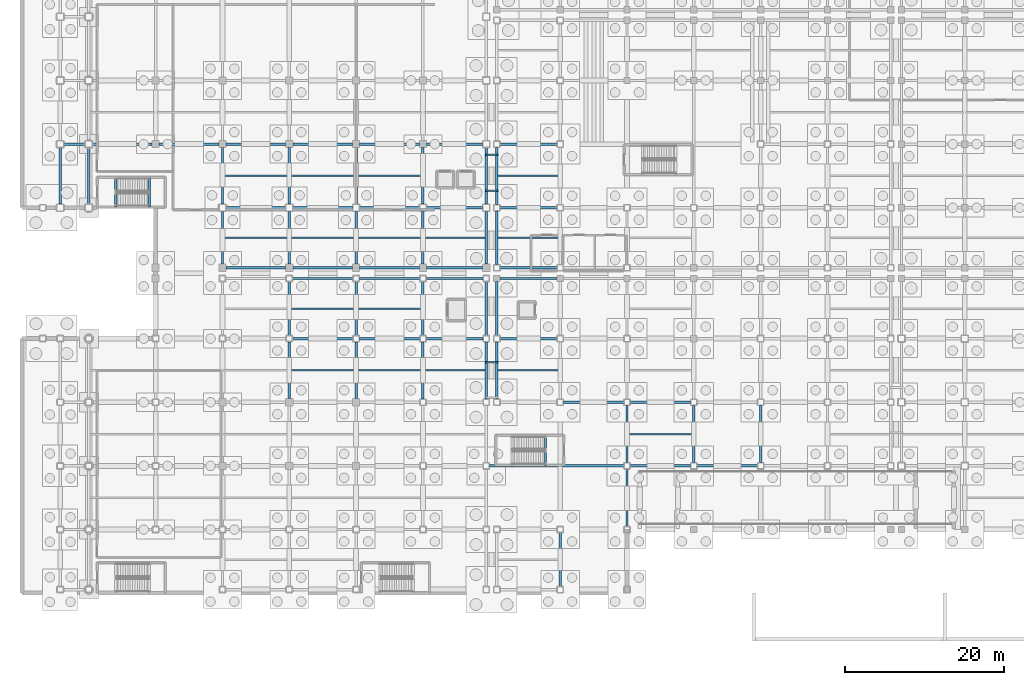
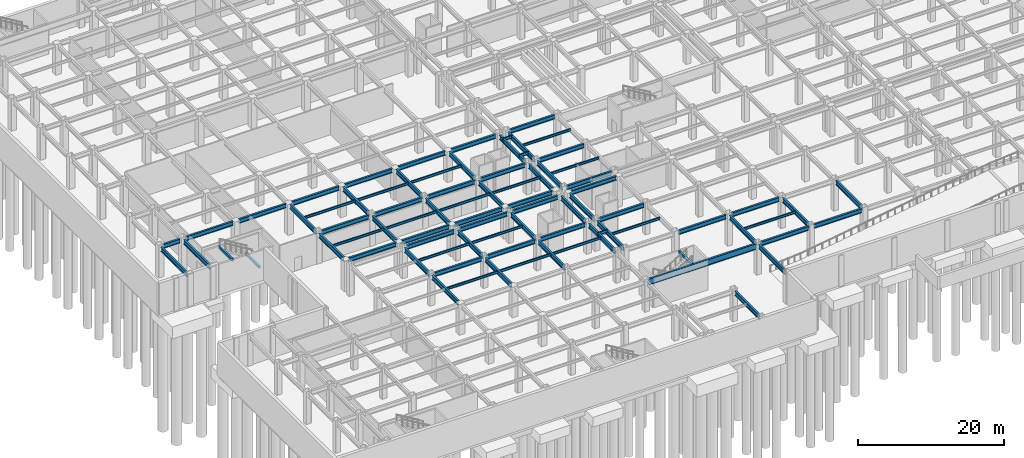
# One storey, part 22 of 55: 82 beams.
"""IFC4 building model written with IfcOpenShell, lengths in metres."""

from ifc_helpers import new_model, si_unit, direction, frame, origin, origin_2d, place, context, subcontext, project, spatial, rectangle, i_section, extrude, material, material_profile, profile_set, type_object, element, save


model = new_model("IFC4")

# Units and contexts
model_context = context("Model", 3, precision=1e-05, world=origin(), true_north=direction((0.0, 1.0)))
body_context = subcontext(model_context, "Body", "Model", "MODEL_VIEW")
ifc_project = project(units=[si_unit("LENGTHUNIT", "METRE"), si_unit("AREAUNIT", "SQUARE_METRE"), si_unit("VOLUMEUNIT", "CUBIC_METRE"), si_unit("PLANEANGLEUNIT", "RADIAN"), si_unit("MASSUNIT", "GRAM", prefix="KILO")], contexts=[model_context])

# Site, building, storey
site_placement = place(None, origin())
site = spatial("IfcSite", under=ifc_project, at=site_placement, CompositionType="ELEMENT")
building_placement = place(site_placement, origin())
building = spatial("IfcBuilding", under=site, at=building_placement, Name="Kazehara Bluff Congress Hotel", CompositionType="ELEMENT")
storey_placement = place(building_placement, frame((0.0, 0.0, -5.39990234375)))
storey = spatial("IfcBuildingStorey", under=building, at=storey_placement, Name="B1", CompositionType="ELEMENT", Elevation=-5.39990234375)

# Beams
ifc_material_1 = material(Name="Steel SN490B", Category="steel")
ifc_material_profile_1 = material_profile(ifc_material_1, i_section(OverallWidth=0.199951171875, OverallDepth=0.5, WebThickness=0.010009765625, FlangeThickness=0.01611328125, FilletRadius=0.012939453125, at=origin_2d()))
ifc_profile_set_1 = profile_set([ifc_material_profile_1], Name="Steel SN490B")
beam_type_1 = type_object("IfcBeamType", Name="TP-G-01", PredefinedType="BEAM", material=ifc_profile_set_1)
for number, where, z_axis, x_axis, name in (
    (1, (58.260009765625, 50.60009765625, 4.869873046875), (1.0, 0.0, 0.0), (0.0, 1.0, 0.0), "Bridge link beam BRG-14 L00-1"),
    (2, (58.260009765625, 55.10009765625, 4.869873046875), (1.0, 0.0, 0.0), (0.0, 1.0, 0.0), "Bridge link beam BRG-14 L00-2"),
    (3, (58.260009765625, 29.050048828125, 4.869873046875), (1.0, 0.0, 0.0), (0.0, 1.0, 0.0), "Bridge link beam BRG-24 L00-2"),
):
    element("IfcBeam", number, at=place(storey_placement, frame(where, z_axis=z_axis, x_axis=x_axis)), inside=storey, type_object=beam_type_1, Name=name, PredefinedType="BEAM", context=body_context, shape_type="SweptSolid", body=[
        extrude(i_section(OverallWidth=0.199951171875, OverallDepth=0.5, WebThickness=0.010009765625, FlangeThickness=0.01611328125, FilletRadius=0.012939453125, at=origin_2d()), origin(), (0.0, 0.0, 1.0), 1.6298828125),
    ])
ifc_material_2 = material(Name="Steel SN490B", Category="steel")
ifc_material_profile_2 = material_profile(ifc_material_2, i_section(OverallWidth=0.300048828125, OverallDepth=0.699951171875, WebThickness=0.012939453125, FlangeThickness=0.02392578125, FilletRadius=0.01806640625, at=origin_2d()))
ifc_profile_set_2 = profile_set([ifc_material_profile_2], Name="Steel SN490B")
beam_type_2 = type_object("IfcBeamType", Name="TP-G-04", PredefinedType="BEAM", material=ifc_profile_set_2)
beam_1_placement = place(storey_placement, frame((76.449951171875, 16.0, 4.77001953125), z_axis=(1.0, 0.0, 0.0), x_axis=(0.0, 1.0, 0.0)))
element("IfcBeam", 4, at=beam_1_placement, inside=storey, type_object=beam_type_2, Name="B1 girder G-04 298", PredefinedType="BEAM", context=body_context, shape_type="SweptSolid", body=[
    extrude(i_section(OverallWidth=0.300048828125, OverallDepth=0.699951171875, WebThickness=0.012939453125, FlangeThickness=0.02392578125, FilletRadius=0.01806640625, at=origin_2d()), origin(), (0.0, 0.0, 1.0), 7.60009765625),
])
for number, where, z_axis, x_axis, name in (
    (5, (84.85009765625, 16.0, 4.77001953125), (1.0, 0.0, 0.0), (0.0, 1.0, 0.0), "B1 girder G-04 299"),
    (6, (68.050048828125, 24.0, 4.77001953125), (1.0, 0.0, 0.0), (0.0, 1.0, 0.0), "B1 girder G-04 317"),
):
    element("IfcBeam", number, at=place(storey_placement, frame(where, z_axis=z_axis, x_axis=x_axis)), inside=storey, type_object=beam_type_2, Name=name, PredefinedType="BEAM", context=body_context, shape_type="SweptSolid", body=[
        extrude(i_section(OverallWidth=0.300048828125, OverallDepth=0.699951171875, WebThickness=0.012939453125, FlangeThickness=0.02392578125, FilletRadius=0.01806640625, at=origin_2d()), origin(), (0.0, 0.0, 1.0), 7.599853515625),
    ])
for number, where, z_axis, x_axis, name in (
    (7, (76.449951171875, 24.0, 4.77001953125), (1.0, 0.0, 0.0), (0.0, 1.0, 0.0), "B1 girder G-04 318"),
    (8, (34.0, 32.0, 4.77001953125), (1.0, 0.0, 0.0), (0.0, 1.0, 0.0), "B1 girder G-04 330"),
    (9, (42.39990234375, 32.0, 4.77001953125), (1.0, 0.0, 0.0), (0.0, 1.0, 0.0), "B1 girder G-04 331"),
):
    element("IfcBeam", number, at=place(storey_placement, frame(where, z_axis=z_axis, x_axis=x_axis)), inside=storey, type_object=beam_type_2, Name=name, PredefinedType="BEAM", context=body_context, shape_type="SweptSolid", body=[
        extrude(i_section(OverallWidth=0.300048828125, OverallDepth=0.699951171875, WebThickness=0.012939453125, FlangeThickness=0.02392578125, FilletRadius=0.01806640625, at=origin_2d()), origin(), (0.0, 0.0, 1.0), 7.60009765625),
    ])
for number, where, z_axis, x_axis, name in (
    (10, (50.800048828125, 32.0, 4.77001953125), (1.0, 0.0, 0.0), (0.0, 1.0, 0.0), "B1 girder G-04 332"),
    (11, (60.10009765625, 32.0, 4.77001953125), (1.0, 0.0, 0.0), (0.0, 1.0, 0.0), "B1 girder G-04 333"),
):
    element("IfcBeam", number, at=place(storey_placement, frame(where, z_axis=z_axis, x_axis=x_axis)), inside=storey, type_object=beam_type_2, Name=name, PredefinedType="BEAM", context=body_context, shape_type="SweptSolid", body=[
        extrude(i_section(OverallWidth=0.300048828125, OverallDepth=0.699951171875, WebThickness=0.012939453125, FlangeThickness=0.02392578125, FilletRadius=0.01806640625, at=origin_2d()), origin(), (0.0, 0.0, 1.0), 7.14990234375),
    ])
for number, where, z_axis, x_axis, name in (
    (12, (34.0, 39.550048828125, 4.77001953125), (1.0, 0.0, 0.0), (0.0, 1.0, 0.0), "B1 girder G-04 347"),
    (13, (42.39990234375, 39.550048828125, 4.77001953125), (1.0, 0.0, 0.0), (0.0, 1.0, 0.0), "B1 girder G-04 348"),
):
    element("IfcBeam", number, at=place(storey_placement, frame(where, z_axis=z_axis, x_axis=x_axis)), inside=storey, type_object=beam_type_2, Name=name, PredefinedType="BEAM", context=body_context, shape_type="SweptSolid", body=[
        extrude(i_section(OverallWidth=0.300048828125, OverallDepth=0.699951171875, WebThickness=0.012939453125, FlangeThickness=0.02392578125, FilletRadius=0.01806640625, at=origin_2d()), origin(), (0.0, 0.0, 1.0), 7.60009765625),
    ])
for number, where, z_axis, x_axis, name in (
    (14, (50.800048828125, 39.550048828125, 4.77001953125), (1.0, 0.0, 0.0), (0.0, 1.0, 0.0), "B1 girder G-04 349"),
    (15, (60.10009765625, 39.550048828125, 4.77001953125), (1.0, 0.0, 0.0), (0.0, 1.0, 0.0), "B1 girder G-04 350"),
):
    element("IfcBeam", number, at=place(storey_placement, frame(where, z_axis=z_axis, x_axis=x_axis)), inside=storey, type_object=beam_type_2, Name=name, PredefinedType="BEAM", context=body_context, shape_type="SweptSolid", body=[
        extrude(i_section(OverallWidth=0.300048828125, OverallDepth=0.699951171875, WebThickness=0.012939453125, FlangeThickness=0.02392578125, FilletRadius=0.01806640625, at=origin_2d()), origin(), (0.0, 0.0, 1.0), 7.14990234375),
    ])
for number, where, z_axis, x_axis, name in (
    (16, (25.64990234375, 40.89990234375, 4.77001953125), (1.0, 0.0, 0.0), (0.0, 1.0, 0.0), "B1 girder G-04 363"),
    (17, (34.050048828125, 40.89990234375, 4.77001953125), (1.0, 0.0, 0.0), (0.0, 1.0, 0.0), "B1 girder G-04 364"),
    (18, (42.449951171875, 40.89990234375, 4.77001953125), (1.0, 0.0, 0.0), (0.0, 1.0, 0.0), "B1 girder G-04 365"),
):
    element("IfcBeam", number, at=place(storey_placement, frame(where, z_axis=z_axis, x_axis=x_axis)), inside=storey, type_object=beam_type_2, Name=name, PredefinedType="BEAM", context=body_context, shape_type="SweptSolid", body=[
        extrude(i_section(OverallWidth=0.300048828125, OverallDepth=0.699951171875, WebThickness=0.012939453125, FlangeThickness=0.02392578125, FilletRadius=0.01806640625, at=origin_2d()), origin(), (0.0, 0.0, 1.0), 7.5),
    ])
beam_2_placement = place(storey_placement, frame((50.85009765625, 40.89990234375, 4.77001953125), z_axis=(1.0, 0.0, 0.0), x_axis=(0.0, 1.0, 0.0)))
element("IfcBeam", 19, at=beam_2_placement, inside=storey, type_object=beam_type_2, Name="B1 girder G-04 366", PredefinedType="BEAM", context=body_context, shape_type="SweptSolid", body=[
    extrude(i_section(OverallWidth=0.300048828125, OverallDepth=0.699951171875, WebThickness=0.012939453125, FlangeThickness=0.02392578125, FilletRadius=0.01806640625, at=origin_2d()), origin(), (0.0, 0.0, 1.0), 7.0498046875),
])
beam_3_placement = place(storey_placement, frame((60.10009765625, 40.89990234375, 4.77001953125), z_axis=(1.0, 0.0, 0.0), x_axis=(0.0, 1.0, 0.0)))
element("IfcBeam", 20, at=beam_3_placement, inside=storey, type_object=beam_type_2, Name="B1 girder G-04 367", PredefinedType="BEAM", context=body_context, shape_type="SweptSolid", body=[
    extrude(i_section(OverallWidth=0.300048828125, OverallDepth=0.699951171875, WebThickness=0.012939453125, FlangeThickness=0.02392578125, FilletRadius=0.01806640625, at=origin_2d()), origin(), (0.0, 0.0, 1.0), 7.14990234375),
])
for number, where, z_axis, x_axis, name in (
    (21, (25.64990234375, 48.449951171875, 4.77001953125), (1.0, 0.0, 0.0), (0.0, 1.0, 0.0), "B1 girder G-04 380"),
    (22, (34.050048828125, 48.449951171875, 4.77001953125), (1.0, 0.0, 0.0), (0.0, 1.0, 0.0), "B1 girder G-04 381"),
    (23, (42.449951171875, 48.449951171875, 4.77001953125), (1.0, 0.0, 0.0), (0.0, 1.0, 0.0), "B1 girder G-04 382"),
):
    element("IfcBeam", number, at=place(storey_placement, frame(where, z_axis=z_axis, x_axis=x_axis)), inside=storey, type_object=beam_type_2, Name=name, PredefinedType="BEAM", context=body_context, shape_type="SweptSolid", body=[
        extrude(i_section(OverallWidth=0.300048828125, OverallDepth=0.699951171875, WebThickness=0.012939453125, FlangeThickness=0.02392578125, FilletRadius=0.01806640625, at=origin_2d()), origin(), (0.0, 0.0, 1.0), 7.5),
    ])
beam_4_placement = place(storey_placement, frame((50.85009765625, 48.449951171875, 4.77001953125), z_axis=(1.0, 0.0, 0.0), x_axis=(0.0, 1.0, 0.0)))
element("IfcBeam", 24, at=beam_4_placement, inside=storey, type_object=beam_type_2, Name="B1 girder G-04 383", PredefinedType="BEAM", context=body_context, shape_type="SweptSolid", body=[
    extrude(i_section(OverallWidth=0.300048828125, OverallDepth=0.699951171875, WebThickness=0.012939453125, FlangeThickness=0.02392578125, FilletRadius=0.01806640625, at=origin_2d()), origin(), (0.0, 0.0, 1.0), 7.0498046875),
])
beam_5_placement = place(storey_placement, frame((60.10009765625, 48.449951171875, 4.77001953125), z_axis=(1.0, 0.0, 0.0), x_axis=(0.0, 1.0, 0.0)))
element("IfcBeam", 25, at=beam_5_placement, inside=storey, type_object=beam_type_2, Name="B1 girder G-04 384", PredefinedType="BEAM", context=body_context, shape_type="SweptSolid", body=[
    extrude(i_section(OverallWidth=0.300048828125, OverallDepth=0.699951171875, WebThickness=0.012939453125, FlangeThickness=0.02392578125, FilletRadius=0.01806640625, at=origin_2d()), origin(), (0.0, 0.0, 1.0), 7.14990234375),
])
beam_6_placement = place(storey_placement, frame((5.25, 56.449951171875, 4.77001953125), z_axis=(1.0, 0.0, 0.0), x_axis=(0.0, 1.0, 0.0)))
element("IfcBeam", 26, at=beam_6_placement, inside=storey, type_object=beam_type_2, Name="B1 girder G-04 395", PredefinedType="BEAM", context=body_context, shape_type="SweptSolid", body=[
    extrude(i_section(OverallWidth=0.300048828125, OverallDepth=0.699951171875, WebThickness=0.012939453125, FlangeThickness=0.02392578125, FilletRadius=0.01806640625, at=origin_2d()), origin(), (0.0, 0.0, 1.0), 2.699951171875),
])
for number, where, z_axis, x_axis, name in (
    (27, (8.85009765625, 56.449951171875, 4.77001953125), (1.0, 0.0, 0.0), (0.0, 1.0, 0.0), "B1 girder G-04 396"),
    (28, (17.25, 56.449951171875, 4.77001953125), (1.0, 0.0, 0.0), (0.0, 1.0, 0.0), "B1 girder G-04 397"),
    (29, (25.64990234375, 56.449951171875, 4.77001953125), (1.0, 0.0, 0.0), (0.0, 1.0, 0.0), "B1 girder G-04 398"),
    (30, (34.050048828125, 56.449951171875, 4.77001953125), (1.0, 0.0, 0.0), (0.0, 1.0, 0.0), "B1 girder G-04 399"),
    (31, (42.449951171875, 56.449951171875, 4.77001953125), (1.0, 0.0, 0.0), (0.0, 1.0, 0.0), "B1 girder G-04 400"),
):
    element("IfcBeam", number, at=place(storey_placement, frame(where, z_axis=z_axis, x_axis=x_axis)), inside=storey, type_object=beam_type_2, Name=name, PredefinedType="BEAM", context=body_context, shape_type="SweptSolid", body=[
        extrude(i_section(OverallWidth=0.300048828125, OverallDepth=0.699951171875, WebThickness=0.012939453125, FlangeThickness=0.02392578125, FilletRadius=0.01806640625, at=origin_2d()), origin(), (0.0, 0.0, 1.0), 7.5),
    ])
beam_7_placement = place(storey_placement, frame((50.85009765625, 56.449951171875, 4.77001953125), z_axis=(1.0, 0.0, 0.0), x_axis=(0.0, 1.0, 0.0)))
element("IfcBeam", 32, at=beam_7_placement, inside=storey, type_object=beam_type_2, Name="B1 girder G-04 401", PredefinedType="BEAM", context=body_context, shape_type="SweptSolid", body=[
    extrude(i_section(OverallWidth=0.300048828125, OverallDepth=0.699951171875, WebThickness=0.012939453125, FlangeThickness=0.02392578125, FilletRadius=0.01806640625, at=origin_2d()), origin(), (0.0, 0.0, 1.0), 7.0498046875),
])
beam_8_placement = place(storey_placement, frame((60.10009765625, 56.449951171875, 4.77001953125), z_axis=(1.0, 0.0, 0.0), x_axis=(0.0, 1.0, 0.0)))
element("IfcBeam", 33, at=beam_8_placement, inside=storey, type_object=beam_type_2, Name="B1 girder G-04 402", PredefinedType="BEAM", context=body_context, shape_type="SweptSolid", body=[
    extrude(i_section(OverallWidth=0.300048828125, OverallDepth=0.699951171875, WebThickness=0.012939453125, FlangeThickness=0.02392578125, FilletRadius=0.01806640625, at=origin_2d()), origin(), (0.0, 0.0, 1.0), 7.14990234375),
])
ifc_material_3 = material(Name="Steel SN490B", Category="steel")
ifc_material_profile_3 = material_profile(ifc_material_3, i_section(OverallWidth=0.300048828125, OverallDepth=0.75, WebThickness=0.012939453125, FlangeThickness=0.02392578125, FilletRadius=0.01806640625, at=origin_2d()))
ifc_profile_set_3 = profile_set([ifc_material_profile_3], Name="Steel SN490B")
beam_type_3 = type_object("IfcBeamType", Name="TP-G-05", PredefinedType="BEAM", material=ifc_profile_set_3)
for number, where, z_axis, x_axis, name in (
    (34, (4.800048828125, 48.89990234375, 4.744873046875), (0.0, 1.0, 0.0), (-1.0, 0.0, 0.0), "B1 girder G-05 5"),
    (35, (8.39990234375, 48.89990234375, 4.744873046875), (0.0, 1.0, 0.0), (-1.0, 0.0, 0.0), "B1 girder G-05 18"),
):
    element("IfcBeam", number, at=place(storey_placement, frame(where, z_axis=z_axis, x_axis=x_axis)), inside=storey, type_object=beam_type_3, Name=name, PredefinedType="BEAM", context=body_context, shape_type="SweptSolid", body=[
        extrude(i_section(OverallWidth=0.300048828125, OverallDepth=0.75, WebThickness=0.012939453125, FlangeThickness=0.02392578125, FilletRadius=0.01806640625, at=origin_2d()), origin(), (0.0, 0.0, 1.0), 7.10009765625),
    ])
beam_9_placement = place(storey_placement, frame((25.199951171875, 41.35009765625, 4.744873046875), z_axis=(0.0, 1.0, 0.0), x_axis=(-1.0, 0.0, 0.0)))
element("IfcBeam", 36, at=beam_9_placement, inside=storey, type_object=beam_type_3, Name="B1 girder G-05 40", PredefinedType="BEAM", context=body_context, shape_type="SweptSolid", body=[
    extrude(i_section(OverallWidth=0.300048828125, OverallDepth=0.75, WebThickness=0.012939453125, FlangeThickness=0.02392578125, FilletRadius=0.01806640625, at=origin_2d()), origin(), (0.0, 0.0, 1.0), 6.64990234375),
])
beam_10_placement = place(storey_placement, frame((25.199951171875, 48.89990234375, 4.744873046875), z_axis=(0.0, 1.0, 0.0), x_axis=(-1.0, 0.0, 0.0)))
element("IfcBeam", 37, at=beam_10_placement, inside=storey, type_object=beam_type_3, Name="B1 girder G-05 41", PredefinedType="BEAM", context=body_context, shape_type="SweptSolid", body=[
    extrude(i_section(OverallWidth=0.300048828125, OverallDepth=0.75, WebThickness=0.012939453125, FlangeThickness=0.02392578125, FilletRadius=0.01806640625, at=origin_2d()), origin(), (0.0, 0.0, 1.0), 7.10009765625),
])
beam_11_placement = place(storey_placement, frame((33.60009765625, 24.449951171875, 4.744873046875), z_axis=(0.0, 1.0, 0.0), x_axis=(-1.0, 0.0, 0.0)))
element("IfcBeam", 38, at=beam_11_placement, inside=storey, type_object=beam_type_3, Name="B1 girder G-05 52", PredefinedType="BEAM", context=body_context, shape_type="SweptSolid", body=[
    extrude(i_section(OverallWidth=0.300048828125, OverallDepth=0.75, WebThickness=0.012939453125, FlangeThickness=0.02392578125, FilletRadius=0.01806640625, at=origin_2d()), origin(), (0.0, 0.0, 1.0), 7.150146484375),
])
beam_12_placement = place(storey_placement, frame((33.60009765625, 32.39990234375, 4.744873046875), z_axis=(0.0, 1.0, 0.0), x_axis=(-1.0, 0.0, 0.0)))
element("IfcBeam", 39, at=beam_12_placement, inside=storey, type_object=beam_type_3, Name="B1 girder G-05 53", PredefinedType="BEAM", context=body_context, shape_type="SweptSolid", body=[
    extrude(i_section(OverallWidth=0.300048828125, OverallDepth=0.75, WebThickness=0.012939453125, FlangeThickness=0.02392578125, FilletRadius=0.01806640625, at=origin_2d()), origin(), (0.0, 0.0, 1.0), 6.75),
])
beam_13_placement = place(storey_placement, frame((33.60009765625, 41.35009765625, 4.744873046875), z_axis=(0.0, 1.0, 0.0), x_axis=(-1.0, 0.0, 0.0)))
element("IfcBeam", 40, at=beam_13_placement, inside=storey, type_object=beam_type_3, Name="B1 girder G-05 54", PredefinedType="BEAM", context=body_context, shape_type="SweptSolid", body=[
    extrude(i_section(OverallWidth=0.300048828125, OverallDepth=0.75, WebThickness=0.012939453125, FlangeThickness=0.02392578125, FilletRadius=0.01806640625, at=origin_2d()), origin(), (0.0, 0.0, 1.0), 6.64990234375),
])
beam_14_placement = place(storey_placement, frame((33.60009765625, 48.89990234375, 4.744873046875), z_axis=(0.0, 1.0, 0.0), x_axis=(-1.0, 0.0, 0.0)))
element("IfcBeam", 41, at=beam_14_placement, inside=storey, type_object=beam_type_3, Name="B1 girder G-05 55", PredefinedType="BEAM", context=body_context, shape_type="SweptSolid", body=[
    extrude(i_section(OverallWidth=0.300048828125, OverallDepth=0.75, WebThickness=0.012939453125, FlangeThickness=0.02392578125, FilletRadius=0.01806640625, at=origin_2d()), origin(), (0.0, 0.0, 1.0), 7.10009765625),
])
beam_15_placement = place(storey_placement, frame((42.0, 24.449951171875, 4.744873046875), z_axis=(0.0, 1.0, 0.0), x_axis=(-1.0, 0.0, 0.0)))
element("IfcBeam", 42, at=beam_15_placement, inside=storey, type_object=beam_type_3, Name="B1 girder G-05 66", PredefinedType="BEAM", context=body_context, shape_type="SweptSolid", body=[
    extrude(i_section(OverallWidth=0.300048828125, OverallDepth=0.75, WebThickness=0.012939453125, FlangeThickness=0.02392578125, FilletRadius=0.01806640625, at=origin_2d()), origin(), (0.0, 0.0, 1.0), 7.150146484375),
])
beam_16_placement = place(storey_placement, frame((42.0, 32.39990234375, 4.744873046875), z_axis=(0.0, 1.0, 0.0), x_axis=(-1.0, 0.0, 0.0)))
element("IfcBeam", 43, at=beam_16_placement, inside=storey, type_object=beam_type_3, Name="B1 girder G-05 67", PredefinedType="BEAM", context=body_context, shape_type="SweptSolid", body=[
    extrude(i_section(OverallWidth=0.300048828125, OverallDepth=0.75, WebThickness=0.012939453125, FlangeThickness=0.02392578125, FilletRadius=0.01806640625, at=origin_2d()), origin(), (0.0, 0.0, 1.0), 6.75),
])
beam_17_placement = place(storey_placement, frame((42.0, 41.35009765625, 4.744873046875), z_axis=(0.0, 1.0, 0.0), x_axis=(-1.0, 0.0, 0.0)))
element("IfcBeam", 44, at=beam_17_placement, inside=storey, type_object=beam_type_3, Name="B1 girder G-05 68", PredefinedType="BEAM", context=body_context, shape_type="SweptSolid", body=[
    extrude(i_section(OverallWidth=0.300048828125, OverallDepth=0.75, WebThickness=0.012939453125, FlangeThickness=0.02392578125, FilletRadius=0.01806640625, at=origin_2d()), origin(), (0.0, 0.0, 1.0), 6.64990234375),
])
beam_18_placement = place(storey_placement, frame((42.0, 48.89990234375, 4.744873046875), z_axis=(0.0, 1.0, 0.0), x_axis=(-1.0, 0.0, 0.0)))
element("IfcBeam", 45, at=beam_18_placement, inside=storey, type_object=beam_type_3, Name="B1 girder G-05 69", PredefinedType="BEAM", context=body_context, shape_type="SweptSolid", body=[
    extrude(i_section(OverallWidth=0.300048828125, OverallDepth=0.75, WebThickness=0.012939453125, FlangeThickness=0.02392578125, FilletRadius=0.01806640625, at=origin_2d()), origin(), (0.0, 0.0, 1.0), 7.10009765625),
])
beam_19_placement = place(storey_placement, frame((50.39990234375, 24.39990234375, 4.744873046875), z_axis=(0.0, 1.0, 0.0), x_axis=(-1.0, 0.0, 0.0)))
element("IfcBeam", 46, at=beam_19_placement, inside=storey, type_object=beam_type_3, Name="B1 girder G-05 79", PredefinedType="BEAM", context=body_context, shape_type="SweptSolid", body=[
    extrude(i_section(OverallWidth=0.300048828125, OverallDepth=0.75, WebThickness=0.012939453125, FlangeThickness=0.02392578125, FilletRadius=0.01806640625, at=origin_2d()), origin(), (0.0, 0.0, 1.0), 7.2001953125),
])
beam_20_placement = place(storey_placement, frame((50.39990234375, 32.39990234375, 4.744873046875), z_axis=(0.0, 1.0, 0.0), x_axis=(-1.0, 0.0, 0.0)))
element("IfcBeam", 47, at=beam_20_placement, inside=storey, type_object=beam_type_3, Name="B1 girder G-05 80", PredefinedType="BEAM", context=body_context, shape_type="SweptSolid", body=[
    extrude(i_section(OverallWidth=0.300048828125, OverallDepth=0.75, WebThickness=0.012939453125, FlangeThickness=0.02392578125, FilletRadius=0.01806640625, at=origin_2d()), origin(), (0.0, 0.0, 1.0), 6.75),
])
beam_21_placement = place(storey_placement, frame((50.39990234375, 41.35009765625, 4.744873046875), z_axis=(0.0, 1.0, 0.0), x_axis=(-1.0, 0.0, 0.0)))
element("IfcBeam", 48, at=beam_21_placement, inside=storey, type_object=beam_type_3, Name="B1 girder G-05 81", PredefinedType="BEAM", context=body_context, shape_type="SweptSolid", body=[
    extrude(i_section(OverallWidth=0.300048828125, OverallDepth=0.75, WebThickness=0.012939453125, FlangeThickness=0.02392578125, FilletRadius=0.01806640625, at=origin_2d()), origin(), (0.0, 0.0, 1.0), 6.64990234375),
])
beam_22_placement = place(storey_placement, frame((50.39990234375, 48.89990234375, 4.744873046875), z_axis=(0.0, 1.0, 0.0), x_axis=(-1.0, 0.0, 0.0)))
element("IfcBeam", 49, at=beam_22_placement, inside=storey, type_object=beam_type_3, Name="B1 girder G-05 82", PredefinedType="BEAM", context=body_context, shape_type="SweptSolid", body=[
    extrude(i_section(OverallWidth=0.300048828125, OverallDepth=0.75, WebThickness=0.012939453125, FlangeThickness=0.02392578125, FilletRadius=0.01806640625, at=origin_2d()), origin(), (0.0, 0.0, 1.0), 7.10009765625),
])
beam_23_placement = place(storey_placement, frame((58.35009765625, 24.39990234375, 4.744873046875), z_axis=(0.0, 1.0, 0.0), x_axis=(-1.0, 0.0, 0.0)))
element("IfcBeam", 50, at=beam_23_placement, inside=storey, type_object=beam_type_3, Name="B1 girder G-05 91", PredefinedType="BEAM", context=body_context, shape_type="SweptSolid", body=[
    extrude(i_section(OverallWidth=0.300048828125, OverallDepth=0.75, WebThickness=0.012939453125, FlangeThickness=0.02392578125, FilletRadius=0.01806640625, at=origin_2d()), origin(), (0.0, 0.0, 1.0), 7.2001953125),
])
beam_24_placement = place(storey_placement, frame((58.35009765625, 32.39990234375, 4.744873046875), z_axis=(0.0, 1.0, 0.0), x_axis=(-1.0, 0.0, 0.0)))
element("IfcBeam", 51, at=beam_24_placement, inside=storey, type_object=beam_type_3, Name="B1 girder G-05 92", PredefinedType="BEAM", context=body_context, shape_type="SweptSolid", body=[
    extrude(i_section(OverallWidth=0.300048828125, OverallDepth=0.75, WebThickness=0.012939453125, FlangeThickness=0.02392578125, FilletRadius=0.01806640625, at=origin_2d()), origin(), (0.0, 0.0, 1.0), 6.75),
])
beam_25_placement = place(storey_placement, frame((58.35009765625, 41.35009765625, 4.744873046875), z_axis=(0.0, 1.0, 0.0), x_axis=(-1.0, 0.0, 0.0)))
element("IfcBeam", 52, at=beam_25_placement, inside=storey, type_object=beam_type_3, Name="B1 girder G-05 93", PredefinedType="BEAM", context=body_context, shape_type="SweptSolid", body=[
    extrude(i_section(OverallWidth=0.300048828125, OverallDepth=0.75, WebThickness=0.012939453125, FlangeThickness=0.02392578125, FilletRadius=0.01806640625, at=origin_2d()), origin(), (0.0, 0.0, 1.0), 6.64990234375),
])
beam_26_placement = place(storey_placement, frame((58.35009765625, 48.89990234375, 4.744873046875), z_axis=(0.0, 1.0, 0.0), x_axis=(-1.0, 0.0, 0.0)))
element("IfcBeam", 53, at=beam_26_placement, inside=storey, type_object=beam_type_3, Name="B1 girder G-05 94", PredefinedType="BEAM", context=body_context, shape_type="SweptSolid", body=[
    extrude(i_section(OverallWidth=0.300048828125, OverallDepth=0.75, WebThickness=0.012939453125, FlangeThickness=0.02392578125, FilletRadius=0.01806640625, at=origin_2d()), origin(), (0.0, 0.0, 1.0), 7.10009765625),
])
beam_27_placement = place(storey_placement, frame((59.699951171875, 24.39990234375, 4.744873046875), z_axis=(0.0, 1.0, 0.0), x_axis=(-1.0, 0.0, 0.0)))
element("IfcBeam", 54, at=beam_27_placement, inside=storey, type_object=beam_type_3, Name="B1 girder G-05 104", PredefinedType="BEAM", context=body_context, shape_type="SweptSolid", body=[
    extrude(i_section(OverallWidth=0.300048828125, OverallDepth=0.75, WebThickness=0.012939453125, FlangeThickness=0.02392578125, FilletRadius=0.01806640625, at=origin_2d()), origin(), (0.0, 0.0, 1.0), 7.2001953125),
])
for number, where, z_axis, x_axis, name in (
    (55, (59.699951171875, 32.39990234375, 4.744873046875), (0.0, 1.0, 0.0), (-1.0, 0.0, 0.0), "B1 girder G-05 105"),
    (56, (59.699951171875, 41.300048828125, 4.744873046875), (0.0, 1.0, 0.0), (-1.0, 0.0, 0.0), "B1 girder G-05 106"),
):
    element("IfcBeam", number, at=place(storey_placement, frame(where, z_axis=z_axis, x_axis=x_axis)), inside=storey, type_object=beam_type_3, Name=name, PredefinedType="BEAM", context=body_context, shape_type="SweptSolid", body=[
        extrude(i_section(OverallWidth=0.300048828125, OverallDepth=0.75, WebThickness=0.012939453125, FlangeThickness=0.02392578125, FilletRadius=0.01806640625, at=origin_2d()), origin(), (0.0, 0.0, 1.0), 6.75),
    ])
beam_28_placement = place(storey_placement, frame((59.699951171875, 48.85009765625, 4.744873046875), z_axis=(0.0, 1.0, 0.0), x_axis=(-1.0, 0.0, 0.0)))
element("IfcBeam", 57, at=beam_28_placement, inside=storey, type_object=beam_type_3, Name="B1 girder G-05 107", PredefinedType="BEAM", context=body_context, shape_type="SweptSolid", body=[
    extrude(i_section(OverallWidth=0.300048828125, OverallDepth=0.75, WebThickness=0.012939453125, FlangeThickness=0.02392578125, FilletRadius=0.01806640625, at=origin_2d()), origin(), (0.0, 0.0, 1.0), 7.199951171875),
])
beam_29_placement = place(storey_placement, frame((67.64990234375, 0.85009765625, 4.744873046875), z_axis=(0.0, 1.0, 0.0), x_axis=(-1.0, 0.0, 0.0)))
element("IfcBeam", 58, at=beam_29_placement, inside=storey, type_object=beam_type_3, Name="B1 girder G-05 115", PredefinedType="BEAM", context=body_context, shape_type="SweptSolid", body=[
    extrude(i_section(OverallWidth=0.300048828125, OverallDepth=0.75, WebThickness=0.012939453125, FlangeThickness=0.02392578125, FilletRadius=0.01806640625, at=origin_2d()), origin(), (0.0, 0.0, 1.0), 6.75),
])
for number, where, z_axis, x_axis, name in (
    (59, (76.050048828125, 8.39990234375, 4.744873046875), (0.0, 1.0, 0.0), (-1.0, 0.0, 0.0), "B1 girder G-05 127"),
    (60, (76.050048828125, 16.39990234375, 4.744873046875), (0.0, 1.0, 0.0), (-1.0, 0.0, 0.0), "B1 girder G-05 128"),
    (61, (84.449951171875, 16.39990234375, 4.744873046875), (0.0, 1.0, 0.0), (-1.0, 0.0, 0.0), "B1 girder G-05 139"),
    (62, (92.85009765625, 16.39990234375, 4.744873046875), (0.0, 1.0, 0.0), (-1.0, 0.0, 0.0), "B1 girder G-05 150"),
):
    element("IfcBeam", number, at=place(storey_placement, frame(where, z_axis=z_axis, x_axis=x_axis)), inside=storey, type_object=beam_type_3, Name=name, PredefinedType="BEAM", context=body_context, shape_type="SweptSolid", body=[
        extrude(i_section(OverallWidth=0.300048828125, OverallDepth=0.75, WebThickness=0.012939453125, FlangeThickness=0.02392578125, FilletRadius=0.01806640625, at=origin_2d()), origin(), (0.0, 0.0, 1.0), 7.2001953125),
    ])
ifc_material_4 = material(Name="Steel SN490B", Category="steel")
ifc_material_profile_4 = material_profile(ifc_material_4, i_section(OverallWidth=0.300048828125, OverallDepth=1.0, WebThickness=0.01611328125, FlangeThickness=0.028076171875, FilletRadius=0.02197265625, at=origin_2d()))
ifc_profile_set_4 = profile_set([ifc_material_profile_4], Name="Steel SN490B")
beam_type_4 = type_object("IfcBeamType", Name="TP-G-09", PredefinedType="BEAM", material=ifc_profile_set_4)
beam_30_placement = place(storey_placement, frame((58.75, 16.0, 4.619873046875), z_axis=(1.0, 0.0, 0.0), x_axis=(0.0, 1.0, 0.0)))
element("IfcBeam", 63, at=beam_30_placement, inside=storey, type_object=beam_type_4, Name="B1 girder G-09 297", PredefinedType="BEAM", context=body_context, shape_type="SweptSolid", body=[
    extrude(i_section(OverallWidth=0.300048828125, OverallDepth=1.0, WebThickness=0.01611328125, FlangeThickness=0.028076171875, FilletRadius=0.02197265625, at=origin_2d()), origin(), (0.0, 0.0, 1.0), 16.89990234375),
])
ifc_material_5 = material(Name="Steel SN400B", Category="steel")
ifc_material_profile_5 = material_profile(ifc_material_5, i_section(OverallWidth=0.199951171875, OverallDepth=0.39990234375, WebThickness=0.008056640625, FlangeThickness=0.012939453125, FilletRadius=0.012939453125, at=origin_2d()))
ifc_profile_set_5 = profile_set([ifc_material_profile_5], Name="Steel SN400B")
beam_type_5 = type_object("IfcBeamType", Name="TP-J-03", PredefinedType="JOIST", material=ifc_profile_set_5)
for number, where, z_axis, x_axis, name in (
    (64, (25.35009765625, 44.675048828125, 4.919921875), (1.0, 0.0, 0.0), (0.0, 1.0, 0.0), "B1 secondary joist J-03 20"),
    (65, (25.35009765625, 52.449951171875, 4.919921875), (1.0, 0.0, 0.0), (0.0, 1.0, 0.0), "B1 secondary joist J-03 21"),
):
    element("IfcBeam", number, at=place(storey_placement, frame(where, z_axis=z_axis, x_axis=x_axis)), inside=storey, type_object=beam_type_5, Name=name, PredefinedType="JOIST", context=body_context, shape_type="SweptSolid", body=[
        extrude(i_section(OverallWidth=0.199951171875, OverallDepth=0.39990234375, WebThickness=0.008056640625, FlangeThickness=0.012939453125, FilletRadius=0.012939453125, at=origin_2d()), origin(), (0.0, 0.0, 1.0), 8.099853515625),
    ])
for number, where, z_axis, x_axis, name in (
    (66, (33.75, 28.0, 4.919921875), (1.0, 0.0, 0.0), (0.0, 1.0, 0.0), "B1 secondary joist J-03 31"),
    (67, (33.75, 35.77490234375, 4.919921875), (1.0, 0.0, 0.0), (0.0, 1.0, 0.0), "B1 secondary joist J-03 32"),
    (68, (33.75, 44.675048828125, 4.919921875), (1.0, 0.0, 0.0), (0.0, 1.0, 0.0), "B1 secondary joist J-03 33"),
    (69, (33.75, 52.449951171875, 4.919921875), (1.0, 0.0, 0.0), (0.0, 1.0, 0.0), "B1 secondary joist J-03 34"),
    (70, (42.14990234375, 28.0, 4.919921875), (1.0, 0.0, 0.0), (0.0, 1.0, 0.0), "B1 secondary joist J-03 43"),
    (71, (42.14990234375, 35.77490234375, 4.919921875), (1.0, 0.0, 0.0), (0.0, 1.0, 0.0), "B1 secondary joist J-03 44"),
    (72, (42.14990234375, 44.675048828125, 4.919921875), (1.0, 0.0, 0.0), (0.0, 1.0, 0.0), "B1 secondary joist J-03 45"),
    (73, (42.14990234375, 52.449951171875, 4.919921875), (1.0, 0.0, 0.0), (0.0, 1.0, 0.0), "B1 secondary joist J-03 46"),
):
    element("IfcBeam", number, at=place(storey_placement, frame(where, z_axis=z_axis, x_axis=x_axis)), inside=storey, type_object=beam_type_5, Name=name, PredefinedType="JOIST", context=body_context, shape_type="SweptSolid", body=[
        extrude(i_section(OverallWidth=0.199951171875, OverallDepth=0.39990234375, WebThickness=0.008056640625, FlangeThickness=0.012939453125, FilletRadius=0.012939453125, at=origin_2d()), origin(), (0.0, 0.0, 1.0), 8.10009765625),
    ])
for number, where, z_axis, x_axis, name in (
    (74, (50.550048828125, 28.0, 4.919921875), (1.0, 0.0, 0.0), (0.0, 1.0, 0.0), "B1 secondary joist J-03 53"),
    (75, (50.550048828125, 44.675048828125, 4.919921875), (1.0, 0.0, 0.0), (0.0, 1.0, 0.0), "B1 secondary joist J-03 54"),
    (76, (59.85009765625, 28.0, 4.919921875), (1.0, 0.0, 0.0), (0.0, 1.0, 0.0), "B1 secondary joist J-03 60"),
    (77, (59.85009765625, 44.675048828125, 4.919921875), (1.0, 0.0, 0.0), (0.0, 1.0, 0.0), "B1 secondary joist J-03 61"),
    (78, (59.85009765625, 52.449951171875, 4.919921875), (1.0, 0.0, 0.0), (0.0, 1.0, 0.0), "B1 secondary joist J-03 62"),
):
    element("IfcBeam", number, at=place(storey_placement, frame(where, z_axis=z_axis, x_axis=x_axis)), inside=storey, type_object=beam_type_5, Name=name, PredefinedType="JOIST", context=body_context, shape_type="SweptSolid", body=[
        extrude(i_section(OverallWidth=0.199951171875, OverallDepth=0.39990234375, WebThickness=0.008056640625, FlangeThickness=0.012939453125, FilletRadius=0.012939453125, at=origin_2d()), origin(), (0.0, 0.0, 1.0), 7.64990234375),
    ])
beam_31_placement = place(storey_placement, frame((76.199951171875, 20.0, 4.919921875), z_axis=(1.0, 0.0, 0.0), x_axis=(0.0, 1.0, 0.0)))
element("IfcBeam", 79, at=beam_31_placement, inside=storey, type_object=beam_type_5, Name="B1 secondary joist J-03 69", PredefinedType="JOIST", context=body_context, shape_type="SweptSolid", body=[
    extrude(i_section(OverallWidth=0.199951171875, OverallDepth=0.39990234375, WebThickness=0.008056640625, FlangeThickness=0.012939453125, FilletRadius=0.012939453125, at=origin_2d()), origin(), (0.0, 0.0, 1.0), 8.10009765625),
])
ifc_material_6 = material(Name="Concrete C40/50", Category="concrete")
ifc_material_profile_6 = material_profile(ifc_material_6, rectangle(XDim=0.300048828125, YDim=0.39990234375, at=origin_2d()))
ifc_profile_set_6 = profile_set([ifc_material_profile_6], Name="Concrete C40/50")
beam_type_6 = type_object("IfcBeamType", Name="TP-LN-02", PredefinedType="LINTEL", material=ifc_profile_set_6)
for number, where, z_axis, x_axis, name in (
    (80, (16.0, 48.52490234375, 2.31982421875), (0.0, 1.0, 0.0), (-1.0, 0.0, 0.0), "B1 ST-03 half-landing support beam 1"),
    (81, (11.800048828125, 48.52490234375, 4.93994140625), (0.0, 1.0, 0.0), (-1.0, 0.0, 0.0), "L00 ST-03 stairwell trimmer beam"),
    (82, (65.800048828125, 19.824951171875, 4.93994140625), (0.0, -1.0, 0.0), (1.0, 0.0, 0.0), "L00 ST-08 stairwell trimmer beam"),
):
    element("IfcBeam", number, at=place(storey_placement, frame(where, z_axis=z_axis, x_axis=x_axis)), inside=storey, type_object=beam_type_6, Name=name, PredefinedType="LINTEL", context=body_context, shape_type="SweptSolid", body=[
        extrude(rectangle(XDim=0.300048828125, YDim=0.39990234375, at=origin_2d()), origin(), (0.0, 0.0, 1.0), 3.75),
    ])

save(model, "model.ifc")
